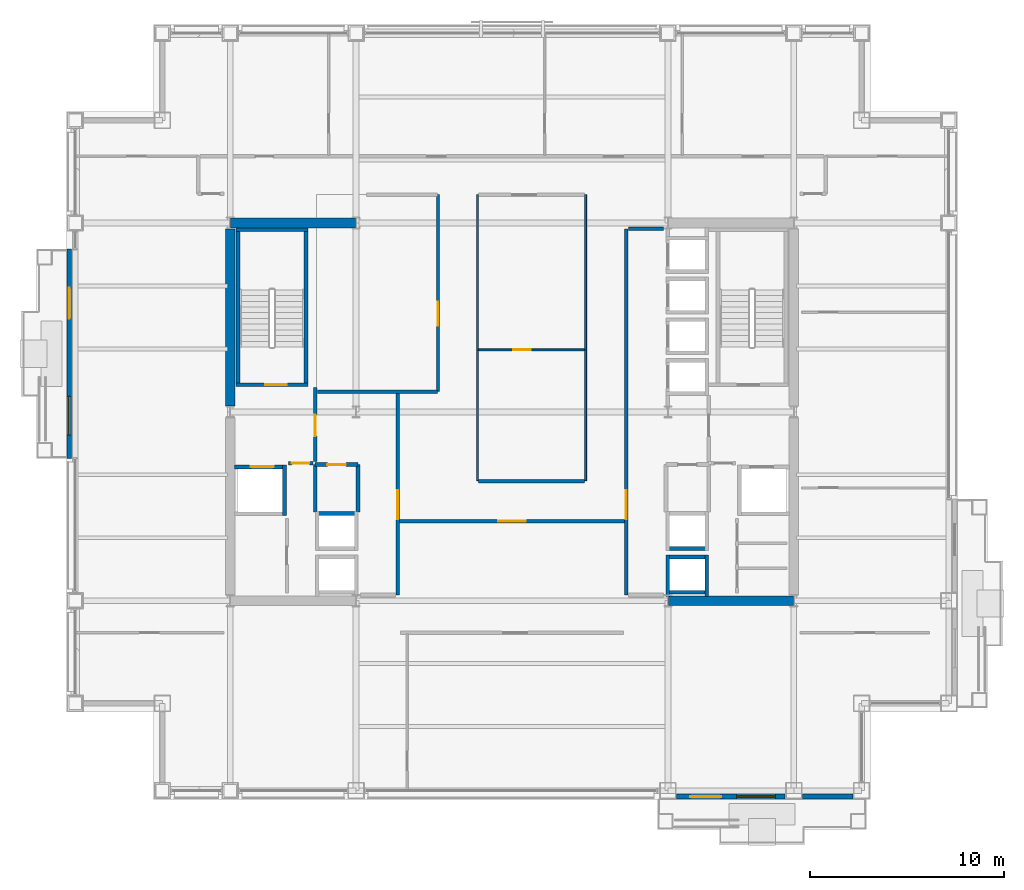
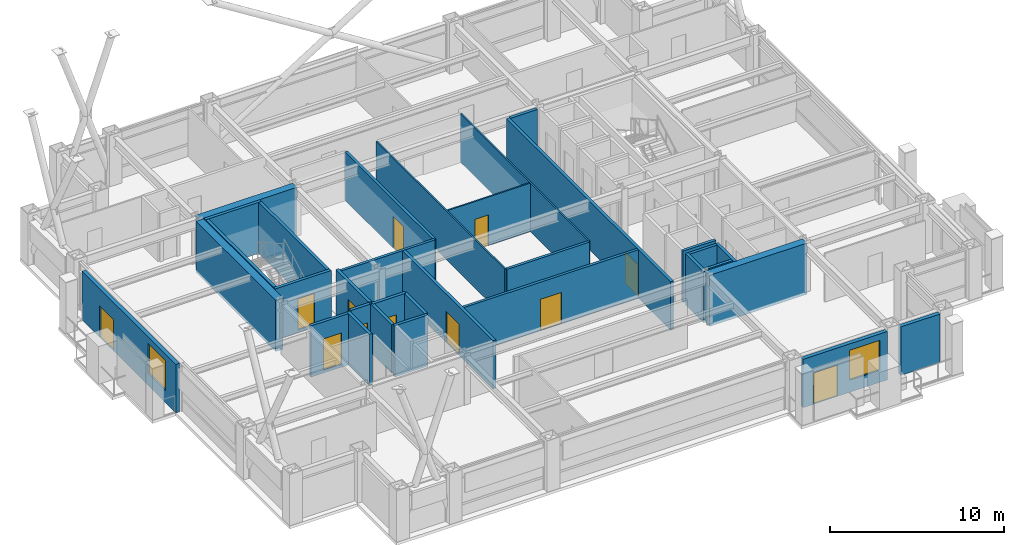
# One storey, part 26 of 32: 33 walls, 12 doors, 2 windows, 14 openings.
"""IFC4 building model written with IfcOpenShell, lengths in metres."""

from ifc_helpers import new_model, si_unit, direction, frame, frame_2d, origin, place, context, subcontext, project, spatial, rectangle, extrude, material, layer, layer_set, type_object, element, fill, save


model = new_model("IFC4")

# Units and contexts
model_context = context("Model", 3, precision=1e-05, world=origin(), true_north=direction((0.0, 1.0)))
body_context = subcontext(model_context, "Body", "Model", "MODEL_VIEW")
ifc_project = project(units=[si_unit("LENGTHUNIT", "METRE"), si_unit("AREAUNIT", "SQUARE_METRE"), si_unit("VOLUMEUNIT", "CUBIC_METRE"), si_unit("PLANEANGLEUNIT", "RADIAN"), si_unit("MASSUNIT", "GRAM", prefix="KILO")], contexts=[model_context])

# Site, building, storey
site_placement = place(None, origin())
site = spatial("IfcSite", under=ifc_project, at=site_placement, CompositionType="ELEMENT")
building_placement = place(site_placement, origin())
building = spatial("IfcBuilding", under=site, at=building_placement, Name="Brelmoor Portico Tower", CompositionType="ELEMENT")
storey_placement = place(building_placement, frame((0.0, 0.0, 109.800048828125)))
storey = spatial("IfcBuildingStorey", under=building, at=storey_placement, Name="L28", CompositionType="ELEMENT", Elevation=109.800048828125)

# Walls
ifc_material_1 = material(Name="Concrete C60", Category="concrete")
ifc_layer_1 = layer(ifc_material_1, 0.5)
ifc_layer_set_1 = layer_set([ifc_layer_1], Name="Concrete C60")
wall_type_1 = type_object("IfcWallType", Name="WL-CORE-500", PredefinedType="SHEAR", material=ifc_layer_set_1)
wall_1_placement = place(storey_placement, frame((-14.530029296875, 9.75, -0.199951171875), z_axis=(0.0, 0.0, 1.0), x_axis=(1.0, 0.0, 0.0)))
element("IfcWall", 1, at=wall_1_placement, inside=storey, type_object=wall_type_1, Name="L28 WC North Shear Wall", PredefinedType="SHEAR", context=body_context, shape_type="SweptSolid", body=[
    extrude(rectangle(XDim=6.4599609375, YDim=0.5, at=frame_2d((3.22998046875, 0.0))), origin(), (0.0, 0.0, 1.0), 3.599853515625),
])
wall_2_placement = place(storey_placement, frame((-14.550048828125, 0.300048828125, -0.199951171875), z_axis=(0.0, 0.0, 1.0), x_axis=(0.0, 1.0, 0.0)))
element("IfcWall", 2, at=wall_2_placement, inside=storey, type_object=wall_type_1, Name="L28 WC Outer North Shear Wall", PredefinedType="SHEAR", context=body_context, shape_type="SweptSolid", body=[
    extrude(rectangle(XDim=9.14990234375, YDim=0.5, at=frame_2d((4.574951171875, 0.0))), origin(), (0.0, 0.0, 1.0), 3.599853515625),
])
wall_3_placement = place(storey_placement, frame((8.070068359375, -9.75, -0.199951171875), z_axis=(0.0, 0.0, 1.0), x_axis=(1.0, 0.0, 0.0)))
element("IfcWall", 3, at=wall_3_placement, inside=storey, type_object=wall_type_1, Name="L28 EC South Shear Wall", PredefinedType="SHEAR", context=body_context, shape_type="SweptSolid", body=[
    extrude(rectangle(XDim=6.4599609375, YDim=0.5, at=frame_2d((3.22998046875, 0.0))), origin(), (0.0, 0.0, 1.0), 3.599853515625),
])

# Wall, openings, door, window
ifc_material_2 = material(Name="Precast Concrete C40 Insulated Facade Wall", Category="concrete")
ifc_layer_2 = layer(ifc_material_2, 0.25)
ifc_layer_set_2 = layer_set([ifc_layer_2], Name="Precast Concrete C40 Insulated Facade Wall")
wall_type_2 = type_object("IfcWallType", Name="WL-EXT-250", PredefinedType="STANDARD", material=ifc_layer_set_2)
wall_4_placement = place(storey_placement, frame((8.4951171875, -19.860107421875, 0.0), z_axis=(0.0, 0.0, 1.0), x_axis=(1.0, 0.0, 0.0)))
wall_4 = element("IfcWall", 4, at=wall_4_placement, inside=storey, type_object=wall_type_2, Name="L28 Loggia Threshold Wall S-1", PredefinedType="STANDARD", context=body_context, shape_type="SweptSolid", body=[
    extrude(rectangle(XDim=5.60986328125, YDim=0.25, at=frame_2d((2.804931640625, 0.0))), origin(), (0.0, 0.0, 1.0), 3.39990234375),
])
opening_1_placement = place(wall_4_placement, frame((0.705078125, 0.0, 0.0)))
opening_1 = element("IfcOpeningElement", 5, at=opening_1_placement, cuts=wall_4, Name="Opening D-TB1", PredefinedType="OPENING", context=body_context, shape_type="SweptSolid", body=[
    extrude(rectangle(XDim=1.60009765625, YDim=2.199951171875, at=frame_2d((0.800048828125, 1.10009765625))), frame((0.0, 0.135009765625, 0.0), z_axis=(0.0, -1.0, 0.0), x_axis=(1.0, 0.0, 0.0)), (0.0, 0.0, 1.0), 0.27001953125),
])
opening_2_placement = place(wall_4_placement, frame((3.10498046875, 0.0, 0.85009765625)))
opening_2 = element("IfcOpeningElement", 6, at=opening_2_placement, cuts=wall_4, Name="Opening W-03", PredefinedType="OPENING", context=body_context, shape_type="SweptSolid", body=[
    extrude(rectangle(XDim=2.0, YDim=2.10009765625, at=frame_2d((1.0, 1.050048828125))), frame((0.0, 0.135009765625, 0.0), z_axis=(0.0, -1.0, 0.0), x_axis=(1.0, 0.0, 0.0)), (0.0, 0.0, 1.0), 0.27001953125),
])
ifc_material_3 = material(Name="Double-Leaf Thermally Broken Terrace Door", Category="aluminium")
door_type_1 = type_object("IfcDoorType", Name="DR-BALCONY-1600", OperationType="NOTDEFINED", PredefinedType="DOOR", material=ifc_material_3)
door_1_placement = place(opening_1_placement, origin())
door_1 = element("IfcDoor", 7, at=door_1_placement, inside=storey, type_object=door_type_1, Name="D-1252 L28 Tree Balcony Double Door S", OperationType="DOUBLE_DOOR_SINGLE_SWING", OverallHeight=2.199951171875, OverallWidth=1.60009765625, PredefinedType="DOOR", context=body_context, shape_type="SweptSolid", body=[
    extrude(rectangle(XDim=1.60009765625, YDim=2.199951171875, at=frame_2d((0.800048828125, 1.10009765625))), frame((0.0, 0.02490234375, 0.0), z_axis=(0.0, -1.0, 0.0), x_axis=(1.0, 0.0, 0.0)), (0.0, 0.0, 1.0), 0.050048828125),
])
fill(opening_1, door_1)
ifc_material_4 = material(Name="Thermally Broken Aluminium Low-E Window", Category="aluminium")
window_type = type_object("IfcWindowType", Name="WN-LOGGIA-2000x2100", PartitioningType="SINGLE_PANEL", PredefinedType="WINDOW", material=ifc_material_4)
window_1_placement = place(opening_2_placement, origin())
window_1 = element("IfcWindow", 8, at=window_1_placement, inside=storey, type_object=window_type, Name="L28 Loggia Window S", OverallHeight=2.10009765625, OverallWidth=2.0, PartitioningType="SINGLE_PANEL", PredefinedType="WINDOW", context=body_context, shape_type="SweptSolid", body=[
    extrude(rectangle(XDim=2.0, YDim=2.10009765625, at=frame_2d((1.0, 1.050048828125))), frame((0.0, 0.030029296875, 0.0), z_axis=(0.0, -1.0, 0.0), x_axis=(1.0, 0.0, 0.0)), (0.0, 0.0, 1.0), 0.06005859375),
])
fill(opening_2, window_1)

# Wall
wall_5_placement = place(storey_placement, frame((14.9951171875, -19.860107421875, 0.0), z_axis=(0.0, 0.0, 1.0), x_axis=(1.0, 0.0, 0.0)))
element("IfcWall", 9, at=wall_5_placement, inside=storey, type_object=wall_type_2, Name="L28 Loggia Threshold Wall S-2", PredefinedType="STANDARD", context=body_context, shape_type="SweptSolid", body=[
    extrude(rectangle(XDim=2.60986328125, YDim=0.25, at=frame_2d((1.304931640625, 0.0))), origin(), (0.0, 0.0, 1.0), 3.39990234375),
])

# Wall, openings, door, window
wall_6_placement = place(storey_placement, frame((-22.860107421875, -2.39990234375, 0.0), z_axis=(0.0, 0.0, 1.0), x_axis=(0.0, 1.0, 0.0)))
wall_6 = element("IfcWall", 10, at=wall_6_placement, inside=storey, type_object=wall_type_2, Name="L28 Loggia Threshold Wall W-1", PredefinedType="STANDARD", context=body_context, shape_type="SweptSolid", body=[
    extrude(rectangle(XDim=10.7998046875, YDim=0.25, at=frame_2d((5.39990234375, 0.0))), origin(), (0.0, 0.0, 1.0), 3.39990234375),
])
opening_3_placement = place(wall_6_placement, frame((7.199951171875, 0.0, 0.0)))
opening_3 = element("IfcOpeningElement", 11, at=opening_3_placement, cuts=wall_6, Name="Opening D-TB1", PredefinedType="OPENING", context=body_context, shape_type="SweptSolid", body=[
    extrude(rectangle(XDim=1.60009765625, YDim=2.199951171875, at=frame_2d((0.800048828125, 1.10009765625))), frame((0.0, 0.135009765625, 0.0), z_axis=(0.0, -1.0, 0.0), x_axis=(1.0, 0.0, 0.0)), (0.0, 0.0, 1.0), 0.27001953125),
])
opening_4_placement = place(wall_6_placement, frame((1.199951171875, 0.0, 0.85009765625)))
opening_4 = element("IfcOpeningElement", 12, at=opening_4_placement, cuts=wall_6, Name="Opening W-03", PredefinedType="OPENING", context=body_context, shape_type="SweptSolid", body=[
    extrude(rectangle(XDim=2.0, YDim=2.10009765625, at=frame_2d((1.0, 1.050048828125))), frame((0.0, 0.135009765625, 0.0), z_axis=(0.0, -1.0, 0.0), x_axis=(1.0, 0.0, 0.0)), (0.0, 0.0, 1.0), 0.27001953125),
])
door_2_placement = place(opening_3_placement, origin())
door_2 = element("IfcDoor", 13, at=door_2_placement, inside=storey, type_object=door_type_1, Name="D-1253 L28 Tree Balcony Double Door W", OperationType="DOUBLE_DOOR_SINGLE_SWING", OverallHeight=2.199951171875, OverallWidth=1.60009765625, PredefinedType="DOOR", context=body_context, shape_type="SweptSolid", body=[
    extrude(rectangle(XDim=1.60009765625, YDim=2.199951171875, at=frame_2d((0.800048828125, 1.10009765625))), frame((0.0, 0.02490234375, 0.0), z_axis=(0.0, -1.0, 0.0), x_axis=(1.0, 0.0, 0.0)), (0.0, 0.0, 1.0), 0.050048828125),
])
fill(opening_3, door_2)
window_2_placement = place(opening_4_placement, origin())
window_2 = element("IfcWindow", 14, at=window_2_placement, inside=storey, type_object=window_type, Name="L28 Loggia Window W", OverallHeight=2.10009765625, OverallWidth=2.0, PartitioningType="SINGLE_PANEL", PredefinedType="WINDOW", context=body_context, shape_type="SweptSolid", body=[
    extrude(rectangle(XDim=2.0, YDim=2.10009765625, at=frame_2d((1.0, 1.050048828125))), frame((0.0, 0.030029296875, 0.0), z_axis=(0.0, -1.0, 0.0), x_axis=(1.0, 0.0, 0.0)), (0.0, 0.0, 1.0), 0.06005859375),
])
fill(opening_4, window_2)

# Walls
ifc_material_5 = material(Name="Demountable Glazed Office Partition", Category="aluminium")
ifc_layer_3 = layer(ifc_material_5, 0.10009765625)
ifc_layer_set_3 = layer_set([ifc_layer_3], Name="Demountable Glazed Office Partition")
wall_type_3 = type_object("IfcWallType", Name="WL-PART-100", PredefinedType="PARTITIONING", material=ifc_layer_set_3)
for number, where, z_axis, x_axis, name in (
    (15, (-1.780029296875, -3.550048828125, 0.0), (0.0, 0.0, 1.0), (0.0, 1.0, 0.0), "L28 Central Studio West Wall"),
    (16, (3.800048828125, -3.550048828125, 0.0), (0.0, 0.0, 1.0), (0.0, 1.0, 0.0), "L28 Central Studio East Wall"),
):
    element("IfcWall", number, at=place(storey_placement, frame(where, z_axis=z_axis, x_axis=x_axis)), inside=storey, type_object=wall_type_3, Name=name, PredefinedType="PARTITIONING", context=body_context, shape_type="SweptSolid", body=[
        extrude(rectangle(XDim=14.77001953125, YDim=0.10009765625, at=frame_2d((7.385009765625, 0.0))), origin(), (0.0, 0.0, 1.0), 3.39990234375),
    ])

# Wall, opening, door
wall_7_placement = place(storey_placement, frame((-1.72998046875, 3.199951171875, 0.0), z_axis=(0.0, 0.0, 1.0), x_axis=(1.0, 0.0, 0.0)))
wall_7 = element("IfcWall", 17, at=wall_7_placement, inside=storey, type_object=wall_type_3, Name="L28 Central Pantry Divider", PredefinedType="PARTITIONING", context=body_context, shape_type="SweptSolid", body=[
    extrude(rectangle(XDim=5.47998046875, YDim=0.10009765625, at=frame_2d((2.739990234375, 0.0))), origin(), (0.0, 0.0, 1.0), 3.39990234375),
])
opening_5_placement = place(wall_7_placement, frame((1.800048828125, 0.0, 0.0)))
opening_5 = element("IfcOpeningElement", 18, at=opening_5_placement, cuts=wall_7, Name="Opening D-IN1", PredefinedType="OPENING", context=body_context, shape_type="SweptSolid", body=[
    extrude(rectangle(XDim=0.89990234375, YDim=2.14990234375, at=frame_2d((0.449951171875, 1.074951171875))), frame((0.0, 0.06005859375, 0.0), z_axis=(0.0, -1.0, 0.0), x_axis=(1.0, 0.0, 0.0)), (0.0, 0.0, 1.0), 0.1201171875),
])
ifc_material_6 = material(Name="Lacquered Timber Suite Door", Category="wood")
door_type_2 = type_object("IfcDoorType", Name="DR-INT-900", OperationType="NOTDEFINED", PredefinedType="DOOR", material=ifc_material_6)
door_3_placement = place(opening_5_placement, origin())
door_3 = element("IfcDoor", 19, at=door_3_placement, inside=storey, type_object=door_type_2, Name="D-1221 L28 Central Pantry Connecting Door", OperationType="SINGLE_SWING_LEFT", OverallHeight=2.14990234375, OverallWidth=0.89990234375, PredefinedType="DOOR", context=body_context, shape_type="SweptSolid", body=[
    extrude(rectangle(XDim=0.89990234375, YDim=2.14990234375, at=frame_2d((0.449951171875, 1.074951171875))), frame((0.0, 0.02490234375, 0.0), z_axis=(0.0, -1.0, 0.0), x_axis=(1.0, 0.0, 0.0)), (0.0, 0.0, 1.0), 0.050048828125),
])
fill(opening_5, door_3)

# Wall
ifc_material_7 = material(Name="Acoustic Corridor Fire Partition", Category="gypsum")
ifc_layer_4 = layer(ifc_material_7, 0.179931640625)
ifc_layer_set_4 = layer_set([ifc_layer_4], Name="Acoustic Corridor Fire Partition")
wall_type_4 = type_object("IfcWallType", Name="WL-PART-180", PredefinedType="PARTITIONING", material=ifc_layer_set_4)
wall_8_placement = place(storey_placement, frame((-10.050048828125, 1.050048828125, 0.0), z_axis=(0.0, 0.0, 1.0), x_axis=(1.0, 0.0, 0.0)))
element("IfcWall", 20, at=wall_8_placement, inside=storey, type_object=wall_type_4, Name="L28 Reclaimed West Suite South Wall", PredefinedType="PARTITIONING", context=body_context, shape_type="SweptSolid", body=[
    extrude(rectangle(XDim=6.2099609375, YDim=0.179931640625, at=frame_2d((3.10498046875, 0.0))), origin(), (0.0, 0.0, 1.0), 3.39990234375),
])

# Wall, opening, door
wall_9_placement = place(storey_placement, frame((-3.820068359375, 1.050048828125, 0.0), z_axis=(0.0, 0.0, 1.0), x_axis=(0.0, 1.0, 0.0)))
wall_9 = element("IfcWall", 21, at=wall_9_placement, inside=storey, type_object=wall_type_4, Name="L28 Reclaimed West Suite East Wall", PredefinedType="PARTITIONING", context=body_context, shape_type="SweptSolid", body=[
    extrude(rectangle(XDim=10.169921875, YDim=0.179931640625, at=frame_2d((5.0849609375, 0.0))), origin(), (0.0, 0.0, 1.0), 3.39990234375),
])
opening_6_placement = place(wall_9_placement, frame((3.39990234375, 0.0, 0.0)))
opening_6 = element("IfcOpeningElement", 22, at=opening_6_placement, cuts=wall_9, Name="Opening D-SU1", PredefinedType="OPENING", context=body_context, shape_type="SweptSolid", body=[
    extrude(rectangle(XDim=1.239990234375, YDim=2.239990234375, at=frame_2d((0.6201171875, 1.1201171875))), frame((0.0, 0.099853515625, 0.0), z_axis=(0.0, -1.0, 0.0), x_axis=(1.0, 0.0, 0.0)), (0.0, 0.0, 1.0), 0.199951171875),
])
ifc_material_8 = material(Name="Glazed Timber Executive Suite Door", Category="wood")
door_type_3 = type_object("IfcDoorType", Name="DR-SUITE-1200", OperationType="NOTDEFINED", PredefinedType="DOOR", material=ifc_material_8)
door_4_placement = place(opening_6_placement, origin())
door_4 = element("IfcDoor", 23, at=door_4_placement, inside=storey, type_object=door_type_3, Name="D-1244 L28 West Reclaimed Collaboration Office Door", OperationType="SINGLE_SWING_RIGHT", OverallHeight=2.239990234375, OverallWidth=1.239990234375, PredefinedType="DOOR", context=body_context, shape_type="SweptSolid", body=[
    extrude(rectangle(XDim=1.239990234375, YDim=2.239990234375, at=frame_2d((0.6201171875, 1.1201171875))), frame((0.0, 0.02490234375, 0.0), z_axis=(0.0, -1.0, 0.0), x_axis=(1.0, 0.0, 0.0)), (0.0, 0.0, 1.0), 0.050048828125),
])
fill(opening_6, door_4)

# Wall
wall_10_placement = place(storey_placement, frame((-1.72998046875, -3.580078125, 0.0), z_axis=(0.0, 0.0, 1.0), x_axis=(1.0, 0.0, 0.0)))
element("IfcWall", 24, at=wall_10_placement, inside=storey, type_object=wall_type_4, Name="L28 Central Studio South Wall", PredefinedType="PARTITIONING", context=body_context, shape_type="SweptSolid", body=[
    extrude(rectangle(XDim=5.47998046875, YDim=0.179931640625, at=frame_2d((2.739990234375, 0.0))), origin(), (0.0, 0.0, 1.0), 3.39990234375),
])

# Wall, opening, door
wall_11_placement = place(storey_placement, frame((-5.800048828125, -5.64990234375, 0.0), z_axis=(0.0, 0.0, 1.0), x_axis=(1.0, 0.0, 0.0)))
wall_11 = element("IfcWall", 25, at=wall_11_placement, inside=storey, type_object=wall_type_4, Name="L28 South Hub Corridor Wall", PredefinedType="PARTITIONING", context=body_context, shape_type="SweptSolid", body=[
    extrude(rectangle(XDim=11.60009765625, YDim=0.179931640625, at=frame_2d((5.800048828125, 0.0))), origin(), (0.0, 0.0, 1.0), 3.39990234375),
])
opening_7_placement = place(wall_11_placement, frame((5.10009765625, 0.0, 0.0)))
opening_7 = element("IfcOpeningElement", 26, at=opening_7_placement, cuts=wall_11, Name="Opening D-SU2", PredefinedType="OPENING", context=body_context, shape_type="SweptSolid", body=[
    extrude(rectangle(XDim=1.39990234375, YDim=2.199951171875, at=frame_2d((0.699951171875, 1.10009765625))), frame((0.0, 0.099853515625, 0.0), z_axis=(0.0, -1.0, 0.0), x_axis=(1.0, 0.0, 0.0)), (0.0, 0.0, 1.0), 0.199951171875),
])
ifc_material_9 = material(Name="Double-Leaf Acoustic Suite Door", Category="timber")
door_type_4 = type_object("IfcDoorType", Name="DR-SUITE-1400", OperationType="NOTDEFINED", PredefinedType="DOOR", material=ifc_material_9)
door_5_placement = place(opening_7_placement, origin())
door_5 = element("IfcDoor", 27, at=door_5_placement, inside=storey, type_object=door_type_4, Name="D-1220 L28 South Reception Hub Door", OperationType="DOUBLE_DOOR_SINGLE_SWING", OverallHeight=2.199951171875, OverallWidth=1.39990234375, PredefinedType="DOOR", context=body_context, shape_type="SweptSolid", body=[
    extrude(rectangle(XDim=1.39990234375, YDim=2.199951171875, at=frame_2d((0.699951171875, 1.10009765625))), frame((0.0, 0.02490234375, 0.0), z_axis=(0.0, -1.0, 0.0), x_axis=(1.0, 0.0, 0.0)), (0.0, 0.0, 1.0), 0.050048828125),
])
fill(opening_7, door_5)

ifc_material_10 = material(Name="Double-Stud Gypsum Fire Partition", Category="gypsum")
ifc_layer_5 = layer(ifc_material_10, 0.199951171875)
ifc_layer_set_5 = layer_set([ifc_layer_5], Name="Double-Stud Gypsum Fire Partition")
wall_type_5 = type_object("IfcWallType", Name="WL-PART-200", PredefinedType="PARTITIONING", material=ifc_layer_set_5)
wall_12_placement = place(storey_placement, frame((-5.89990234375, -9.449951171875, 0.0), z_axis=(0.0, 0.0, 1.0), x_axis=(0.0, 1.0, 0.0)))
wall_12 = element("IfcWall", 28, at=wall_12_placement, inside=storey, type_object=wall_type_5, Name="L28 W Core Lobby Compartment Wall", PredefinedType="PARTITIONING", context=body_context, shape_type="SweptSolid", body=[
    extrude(rectangle(XDim=10.5, YDim=0.199951171875, at=frame_2d((5.25, 0.0))), origin(), (0.0, 0.0, 1.0), 3.39990234375),
])
opening_8_placement = place(wall_12_placement, frame((3.89990234375, 0.0, 0.0)))
opening_8 = element("IfcOpeningElement", 29, at=opening_8_placement, cuts=wall_12, Name="Opening D-LB1", PredefinedType="OPENING", context=body_context, shape_type="SweptSolid", body=[
    extrude(rectangle(XDim=1.5, YDim=2.199951171875, at=frame_2d((0.75, 1.10009765625))), frame((0.0, 0.10986328125, 0.0), z_axis=(0.0, -1.0, 0.0), x_axis=(1.0, 0.0, 0.0)), (0.0, 0.0, 1.0), 0.219970703125),
])
ifc_material_11 = material(Name="Double-Leaf Glazed Steel Fire Door", Category="steel")
door_type_5 = type_object("IfcDoorType", Name="DR-LOBBY-1500", OperationType="NOTDEFINED", PredefinedType="DOOR", material=ifc_material_11)
door_6_placement = place(opening_8_placement, origin())
door_6 = element("IfcDoor", 30, at=door_6_placement, inside=storey, type_object=door_type_5, Name="D-1234 L28 W Lift Lobby Main Door", OperationType="DOUBLE_DOOR_SINGLE_SWING", OverallHeight=2.199951171875, OverallWidth=1.5, PredefinedType="DOOR", context=body_context, shape_type="SweptSolid", body=[
    extrude(rectangle(XDim=1.5, YDim=2.199951171875, at=frame_2d((0.75, 1.10009765625))), frame((0.0, 0.02490234375, 0.0), z_axis=(0.0, -1.0, 0.0), x_axis=(1.0, 0.0, 0.0)), (0.0, 0.0, 1.0), 0.050048828125),
])
fill(opening_8, door_6)

wall_13_placement = place(storey_placement, frame((-10.159912109375, -2.550048828125, 0.0), z_axis=(0.0, 0.0, 1.0), x_axis=(0.0, 1.0, 0.0)))
wall_13 = element("IfcWall", 31, at=wall_13_placement, inside=storey, type_object=wall_type_5, Name="L28 W Firefighting Lobby Wall", PredefinedType="PARTITIONING", context=body_context, shape_type="SweptSolid", body=[
    extrude(rectangle(XDim=3.800048828125, YDim=0.199951171875, at=frame_2d((1.89990234375, 0.0))), origin(), (0.0, 0.0, 1.0), 3.39990234375),
])
opening_9_placement = place(wall_13_placement, frame((1.300048828125, 0.0, 0.0)))
opening_9 = element("IfcOpeningElement", 32, at=opening_9_placement, cuts=wall_13, Name="Opening D-FR1", PredefinedType="OPENING", context=body_context, shape_type="SweptSolid", body=[
    extrude(rectangle(XDim=1.10009765625, YDim=2.14990234375, at=frame_2d((0.550048828125, 1.074951171875))), frame((0.0, 0.10986328125, 0.0), z_axis=(0.0, -1.0, 0.0), x_axis=(1.0, 0.0, 0.0)), (0.0, 0.0, 1.0), 0.219970703125),
])
ifc_material_12 = material(Name="Painted Galvanised Steel Fire Door", Category="steel")
door_type_6 = type_object("IfcDoorType", Name="DR-FIRE-1100", OperationType="NOTDEFINED", PredefinedType="DOOR", material=ifc_material_12)
door_7_placement = place(opening_9_placement, origin())
door_7 = element("IfcDoor", 33, at=door_7_placement, inside=storey, type_object=door_type_6, Name="D-1232 L28 W Firefighting Lobby Door", OperationType="SINGLE_SWING_RIGHT", OverallHeight=2.14990234375, OverallWidth=1.10009765625, PredefinedType="DOOR", context=body_context, shape_type="SweptSolid", body=[
    extrude(rectangle(XDim=1.10009765625, YDim=2.14990234375, at=frame_2d((0.550048828125, 1.074951171875))), frame((0.0, 0.02490234375, 0.0), z_axis=(0.0, -1.0, 0.0), x_axis=(1.0, 0.0, 0.0)), (0.0, 0.0, 1.0), 0.050048828125),
])
fill(opening_9, door_7)

wall_14_placement = place(storey_placement, frame((-10.280029296875, -2.64990234375, 0.0), z_axis=(0.0, 0.0, 1.0), x_axis=(-1.0, 0.0, 0.0)))
wall_14 = element("IfcWall", 34, at=wall_14_placement, inside=storey, type_object=wall_type_5, Name="L28 W Firefighting Lobby South Wall", PredefinedType="PARTITIONING", context=body_context, shape_type="SweptSolid", body=[
    extrude(rectangle(XDim=1.27001953125, YDim=0.199951171875, at=frame_2d((0.635009765625, 0.0))), origin(), (0.0, 0.0, 1.0), 3.39990234375),
])
opening_10_placement = place(wall_14_placement, frame((0.18505859375, 0.0, 0.0)))
opening_10 = element("IfcOpeningElement", 35, at=opening_10_placement, cuts=wall_14, Name="Opening D-IN1", PredefinedType="OPENING", context=body_context, shape_type="SweptSolid", body=[
    extrude(rectangle(XDim=0.89990234375, YDim=2.14990234375, at=frame_2d((0.449951171875, 1.074951171875))), frame((0.0, 0.10986328125, 0.0), z_axis=(0.0, -1.0, 0.0), x_axis=(1.0, 0.0, 0.0)), (0.0, 0.0, 1.0), 0.219970703125),
])
door_8_placement = place(opening_10_placement, origin())
door_8 = element("IfcDoor", 36, at=door_8_placement, inside=storey, type_object=door_type_2, Name="D-1227 L28 W Core Service Vestibule Door", OperationType="SINGLE_SWING_LEFT", OverallHeight=2.14990234375, OverallWidth=0.89990234375, PredefinedType="DOOR", context=body_context, shape_type="SweptSolid", body=[
    extrude(rectangle(XDim=0.89990234375, YDim=2.14990234375, at=frame_2d((0.449951171875, 1.074951171875))), frame((0.0, 0.02490234375, 0.0), z_axis=(0.0, -1.0, 0.0), x_axis=(1.0, 0.0, 0.0)), (0.0, 0.0, 1.0), 0.050048828125),
])
fill(opening_10, door_8)

wall_15_placement = place(storey_placement, frame((-7.9599609375, -2.719970703125, 0.0), z_axis=(0.0, 0.0, 1.0), x_axis=(-1.0, 0.0, 0.0)))
wall_15 = element("IfcWall", 37, at=wall_15_placement, inside=storey, type_object=wall_type_5, Name="L28 W Electrical Switchgear Closet Wall", PredefinedType="PARTITIONING", context=body_context, shape_type="SweptSolid", body=[
    extrude(rectangle(XDim=2.199951171875, YDim=0.199951171875, at=frame_2d((1.10009765625, 0.0))), origin(), (0.0, 0.0, 1.0), 3.39990234375),
])
opening_11_placement = place(wall_15_placement, frame((0.6201171875, 0.0, 0.0)))
opening_11 = element("IfcOpeningElement", 38, at=opening_11_placement, cuts=wall_15, Name="Opening D-FR4", PredefinedType="OPENING", context=body_context, shape_type="SweptSolid", body=[
    extrude(rectangle(XDim=0.949951171875, YDim=2.10009765625, at=frame_2d((0.47509765625, 1.050048828125))), frame((0.0, 0.10986328125, 0.0), z_axis=(0.0, -1.0, 0.0), x_axis=(1.0, 0.0, 0.0)), (0.0, 0.0, 1.0), 0.219970703125),
])
ifc_material_13 = material(Name="Painted Galvanised Steel Riser Door", Category="steel")
door_type_7 = type_object("IfcDoorType", Name="DR-FIRE-950", OperationType="NOTDEFINED", PredefinedType="DOOR", material=ifc_material_13)
door_9_placement = place(opening_11_placement, origin())
door_9 = element("IfcDoor", 39, at=door_9_placement, inside=storey, type_object=door_type_7, Name="D-1230 L28 W Electrical Switchgear Closet Door", OperationType="SINGLE_SWING_RIGHT", OverallHeight=2.10009765625, OverallWidth=0.949951171875, PredefinedType="DOOR", context=body_context, shape_type="SweptSolid", body=[
    extrude(rectangle(XDim=0.949951171875, YDim=2.10009765625, at=frame_2d((0.47509765625, 1.050048828125))), frame((0.0, 0.02490234375, 0.0), z_axis=(0.0, -1.0, 0.0), x_axis=(1.0, 0.0, 0.0)), (0.0, 0.0, 1.0), 0.050048828125),
])
fill(opening_11, door_9)

# Walls
for number, where, z_axis, x_axis, name in (
    (40, (-7.9599609375, -5.159912109375, 0.0), (0.0, 0.0, 1.0), (0.0, 1.0, 0.0), "L28 W Electrical Switchgear Closet Inner Wall"),
    (41, (-10.159912109375, -5.159912109375, 0.0), (0.0, 0.0, 1.0), (0.0, 1.0, 0.0), "L28 W Electrical Switchgear Closet Outer Wall"),
):
    element("IfcWall", number, at=place(storey_placement, frame(where, z_axis=z_axis, x_axis=x_axis)), inside=storey, type_object=wall_type_5, Name=name, PredefinedType="PARTITIONING", context=body_context, shape_type="SweptSolid", body=[
        extrude(rectangle(XDim=2.43994140625, YDim=0.199951171875, at=frame_2d((1.219970703125, 0.0))), origin(), (0.0, 0.0, 1.0), 3.39990234375),
    ])

# Wall, opening, door
wall_16_placement = place(storey_placement, frame((5.89990234375, -9.449951171875, 0.0), z_axis=(0.0, 0.0, 1.0), x_axis=(0.0, 1.0, 0.0)))
wall_16 = element("IfcWall", 42, at=wall_16_placement, inside=storey, type_object=wall_type_5, Name="L28 E Core Lobby Compartment Wall", PredefinedType="PARTITIONING", context=body_context, shape_type="SweptSolid", body=[
    extrude(rectangle(XDim=18.89990234375, YDim=0.199951171875, at=frame_2d((9.449951171875, 0.0))), origin(), (0.0, 0.0, 1.0), 3.39990234375),
])
opening_12_placement = place(wall_16_placement, frame((3.89990234375, 0.0, 0.0)))
opening_12 = element("IfcOpeningElement", 43, at=opening_12_placement, cuts=wall_16, Name="Opening D-LB1", PredefinedType="OPENING", context=body_context, shape_type="SweptSolid", body=[
    extrude(rectangle(XDim=1.5, YDim=2.199951171875, at=frame_2d((0.75, 1.10009765625))), frame((0.0, 0.10986328125, 0.0), z_axis=(0.0, -1.0, 0.0), x_axis=(1.0, 0.0, 0.0)), (0.0, 0.0, 1.0), 0.219970703125),
])
door_10_placement = place(opening_12_placement, origin())
door_10 = element("IfcDoor", 44, at=door_10_placement, inside=storey, type_object=door_type_5, Name="D-1233 L28 E Lift Lobby Main Door", OperationType="DOUBLE_DOOR_SINGLE_SWING", OverallHeight=2.199951171875, OverallWidth=1.5, PredefinedType="DOOR", context=body_context, shape_type="SweptSolid", body=[
    extrude(rectangle(XDim=1.5, YDim=2.199951171875, at=frame_2d((0.75, 1.10009765625))), frame((0.0, 0.02490234375, 0.0), z_axis=(0.0, -1.0, 0.0), x_axis=(1.0, 0.0, 0.0)), (0.0, 0.0, 1.0), 0.050048828125),
])
fill(opening_12, door_10)

# Walls
wall_17_placement = place(storey_placement, frame((6.02001953125, 9.449951171875, 0.0), z_axis=(0.0, 0.0, 1.0), x_axis=(1.0, 0.0, 0.0)))
element("IfcWall", 45, at=wall_17_placement, inside=storey, type_object=wall_type_5, Name="L28 E Lift Lobby North End Wall", PredefinedType="PARTITIONING", context=body_context, shape_type="SweptSolid", body=[
    extrude(rectangle(XDim=1.800048828125, YDim=0.199951171875, at=frame_2d((0.89990234375, 0.0))), origin(), (0.0, 0.0, 1.0), 3.39990234375),
])
ifc_material_14 = material(Name="Precast Concrete C40", Category="concrete")
ifc_layer_6 = layer(ifc_material_14, 0.18994140625)
ifc_layer_set_6 = layer_set([ifc_layer_6], Name="Precast Concrete C40")
wall_type_6 = type_object("IfcWallType", Name="WL-SHAFT-180", PredefinedType="SOLIDWALL", material=ifc_layer_set_6)
wall_18_placement = place(storey_placement, frame((-10.14990234375, -5.2451171875, -0.199951171875), z_axis=(0.0, 0.0, 1.0), x_axis=(1.0, 0.0, 0.0)))
element("IfcWall", 46, at=wall_18_placement, inside=storey, type_object=wall_type_6, Name="L28 Lift PH2 Hoistway North Wall", PredefinedType="SOLIDWALL", context=body_context, shape_type="SweptSolid", body=[
    extrude(rectangle(XDim=2.199951171875, YDim=0.18994140625, at=frame_2d((1.10009765625, 0.0))), origin(), (0.0, 0.0, 1.0), 3.599853515625),
])
for number, where, z_axis, x_axis, name in (
    (47, (8.044921875, -9.52001953125, -0.199951171875), (0.0, 0.0, 1.0), (0.0, 1.0, 0.0), "L28 Lift PH3 Hoistway Front Wall"),
    (48, (10.054931640625, -9.52001953125, -0.199951171875), (0.0, 0.0, 1.0), (0.0, 1.0, 0.0), "L28 Lift PH3 Hoistway Back Wall"),
):
    element("IfcWall", number, at=place(storey_placement, frame(where, z_axis=z_axis, x_axis=x_axis)), inside=storey, type_object=wall_type_6, Name=name, PredefinedType="SOLIDWALL", context=body_context, shape_type="SweptSolid", body=[
        extrude(rectangle(XDim=2.1201171875, YDim=0.18994140625, at=frame_2d((1.06005859375, 0.0))), origin(), (0.0, 0.0, 1.0), 3.599853515625),
    ])
for number, where, z_axis, x_axis, name in (
    (49, (7.949951171875, -7.4951171875, -0.199951171875), (0.0, 0.0, 1.0), (1.0, 0.0, 0.0), "L28 Lift PH3 Hoistway North Wall"),
    (50, (7.949951171875, -9.304931640625, -0.199951171875), (0.0, 0.0, 1.0), (1.0, 0.0, 0.0), "L28 Lift PH3 Hoistway South Wall"),
    (51, (7.949951171875, -7.054931640625, -0.199951171875), (0.0, 0.0, 1.0), (1.0, 0.0, 0.0), "L28 Lift PH4 Hoistway South Wall"),
):
    element("IfcWall", number, at=place(storey_placement, frame(where, z_axis=z_axis, x_axis=x_axis)), inside=storey, type_object=wall_type_6, Name=name, PredefinedType="SOLIDWALL", context=body_context, shape_type="SweptSolid", body=[
        extrude(rectangle(XDim=2.199951171875, YDim=0.18994140625, at=frame_2d((1.10009765625, 0.0))), origin(), (0.0, 0.0, 1.0), 3.599853515625),
    ])

# Wall, opening, door
wall_19_placement = place(storey_placement, frame((-14.330078125, -2.844970703125, -0.199951171875), z_axis=(0.0, 0.0, 1.0), x_axis=(1.0, 0.0, 0.0)))
wall_19 = element("IfcWall", 52, at=wall_19_placement, inside=storey, type_object=wall_type_6, Name="L28 Lift FF1 Hoistway Front Wall", PredefinedType="SOLIDWALL", context=body_context, shape_type="SweptSolid", body=[
    extrude(rectangle(XDim=2.68017578125, YDim=0.18994140625, at=frame_2d((1.340087890625, 0.0))), origin(), (0.0, 0.0, 1.0), 3.599853515625),
])
opening_13_placement = place(wall_19_placement, frame((0.830078125, 0.0, 0.199951171875)))
opening_13 = element("IfcOpeningElement", 53, at=opening_13_placement, cuts=wall_19, Name="Opening LD-02", PredefinedType="OPENING", context=body_context, shape_type="SweptSolid", body=[
    extrude(rectangle(XDim=1.199951171875, YDim=2.199951171875, at=frame_2d((0.60009765625, 1.10009765625))), frame((0.0, 0.10498046875, 0.0), z_axis=(0.0, -1.0, 0.0), x_axis=(1.0, 0.0, 0.0)), (0.0, 0.0, 1.0), 0.2099609375),
])
ifc_material_15 = material(Name="Brushed Stainless Steel Firefighting Lift Door", Category="steel")
door_type_8 = type_object("IfcDoorType", Name="DR-LIFT-1200", OperationType="NOTDEFINED", PredefinedType="DOOR", material=ifc_material_15)
door_11_placement = place(opening_13_placement, origin())
door_11 = element("IfcDoor", 54, at=door_11_placement, inside=storey, type_object=door_type_8, Name="D-1258 L28 Lift FF1 Sliding Landing Door", OperationType="SLIDING_TO_LEFT", OverallHeight=2.199951171875, OverallWidth=1.199951171875, PredefinedType="DOOR", context=body_context, shape_type="SweptSolid", body=[
    extrude(rectangle(XDim=1.199951171875, YDim=2.199951171875, at=frame_2d((0.60009765625, 1.10009765625))), frame((0.0, 0.02490234375, 0.0), z_axis=(0.0, -1.0, 0.0), x_axis=(1.0, 0.0, 0.0)), (0.0, 0.0, 1.0), 0.050048828125),
])
fill(opening_13, door_11)

# Walls
wall_20_placement = place(storey_placement, frame((-11.7451171875, -5.35009765625, -0.199951171875), z_axis=(0.0, 0.0, 1.0), x_axis=(0.0, 1.0, 0.0)))
element("IfcWall", 55, at=wall_20_placement, inside=storey, type_object=wall_type_6, Name="L28 Firefighting Lift FF1 Inner Wall", PredefinedType="SOLIDWALL", context=body_context, shape_type="SweptSolid", body=[
    extrude(rectangle(XDim=2.60009765625, YDim=0.18994140625, at=frame_2d((1.300048828125, 0.0))), origin(), (0.0, 0.0, 1.0), 3.599853515625),
])
ifc_material_16 = material(Name="Concrete C40", Category="concrete")
ifc_layer_7 = layer(ifc_material_16, 0.199951171875)
ifc_layer_set_7 = layer_set([ifc_layer_7], Name="Concrete C40")
wall_type_7 = type_object("IfcWallType", Name="WL-SHAFT-RC200", PredefinedType="SOLIDWALL", material=ifc_layer_set_7)
wall_21_placement = place(storey_placement, frame((-14.14990234375, 1.5, -0.199951171875), z_axis=(0.0, 0.0, 1.0), x_axis=(0.0, 1.0, 0.0)))
element("IfcWall", 56, at=wall_21_placement, inside=storey, type_object=wall_type_7, Name="L28 ST-W Structural Stair Wall Outer", PredefinedType="SOLIDWALL", context=body_context, shape_type="SweptSolid", body=[
    extrude(rectangle(XDim=7.800048828125, YDim=0.199951171875, at=frame_2d((3.89990234375, 0.0))), origin(), (0.0, 0.0, 1.0), 3.599853515625),
])

# Wall, opening, door
wall_22_placement = place(storey_placement, frame((-14.25, 1.39990234375, -0.199951171875), z_axis=(0.0, 0.0, 1.0), x_axis=(1.0, 0.0, 0.0)))
wall_22 = element("IfcWall", 57, at=wall_22_placement, inside=storey, type_object=wall_type_7, Name="L28 ST-W Structural Stair Wall S", PredefinedType="SOLIDWALL", context=body_context, shape_type="SweptSolid", body=[
    extrude(rectangle(XDim=3.719970703125, YDim=0.199951171875, at=frame_2d((1.85986328125, 0.0))), origin(), (0.0, 0.0, 1.0), 3.599853515625),
])
opening_14_placement = place(wall_22_placement, frame((1.5, 0.0, 0.199951171875)))
opening_14 = element("IfcOpeningElement", 58, at=opening_14_placement, cuts=wall_22, Name="Opening D-ST1", PredefinedType="OPENING", context=body_context, shape_type="SweptSolid", body=[
    extrude(rectangle(XDim=1.1201171875, YDim=2.179931640625, at=frame_2d((0.56005859375, 1.08984375))), frame((0.0, 0.10986328125, 0.0), z_axis=(0.0, -1.0, 0.0), x_axis=(1.0, 0.0, 0.0)), (0.0, 0.0, 1.0), 0.219970703125),
])
door_type_9 = type_object("IfcDoorType", Name="DR-STAIR-1100", OperationType="NOTDEFINED", PredefinedType="DOOR", material=ifc_material_12)
door_12_placement = place(opening_14_placement, origin())
door_12 = element("IfcDoor", 59, at=door_12_placement, inside=storey, type_object=door_type_9, Name="D-1248 L28 ST-W Protected Exit Stair Door", OperationType="SINGLE_SWING_LEFT", OverallHeight=2.179931640625, OverallWidth=1.1201171875, PredefinedType="DOOR", context=body_context, shape_type="SweptSolid", body=[
    extrude(rectangle(XDim=1.1201171875, YDim=2.179931640625, at=frame_2d((0.56005859375, 1.08984375))), frame((0.0, 0.02490234375, 0.0), z_axis=(0.0, -1.0, 0.0), x_axis=(1.0, 0.0, 0.0)), (0.0, 0.0, 1.0), 0.050048828125),
])
fill(opening_14, door_12)

# Walls
wall_23_placement = place(storey_placement, frame((-14.25, 9.39990234375, -0.199951171875), z_axis=(0.0, 0.0, 1.0), x_axis=(1.0, 0.0, 0.0)))
element("IfcWall", 60, at=wall_23_placement, inside=storey, type_object=wall_type_7, Name="L28 ST-W Structural Stair Wall N", PredefinedType="SOLIDWALL", context=body_context, shape_type="SweptSolid", body=[
    extrude(rectangle(XDim=3.719970703125, YDim=0.199951171875, at=frame_2d((1.85986328125, 0.0))), origin(), (0.0, 0.0, 1.0), 3.599853515625),
])
wall_24_placement = place(storey_placement, frame((-10.6298828125, 1.5, -0.199951171875), z_axis=(0.0, 0.0, 1.0), x_axis=(0.0, 1.0, 0.0)))
element("IfcWall", 61, at=wall_24_placement, inside=storey, type_object=wall_type_7, Name="L28 ST-W Structural Stair Wall Inner", PredefinedType="SOLIDWALL", context=body_context, shape_type="SweptSolid", body=[
    extrude(rectangle(XDim=7.800048828125, YDim=0.199951171875, at=frame_2d((3.89990234375, 0.0))), origin(), (0.0, 0.0, 1.0), 3.599853515625),
])

save(model, "model.ifc")
